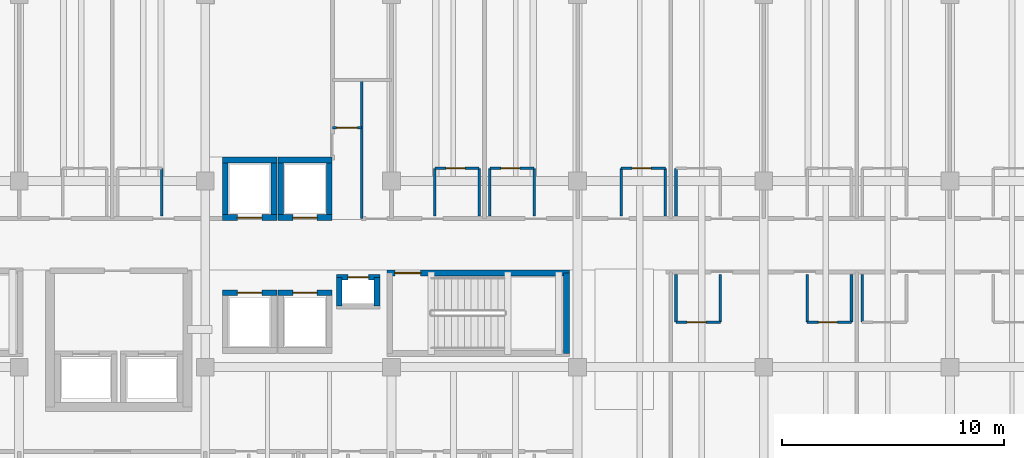
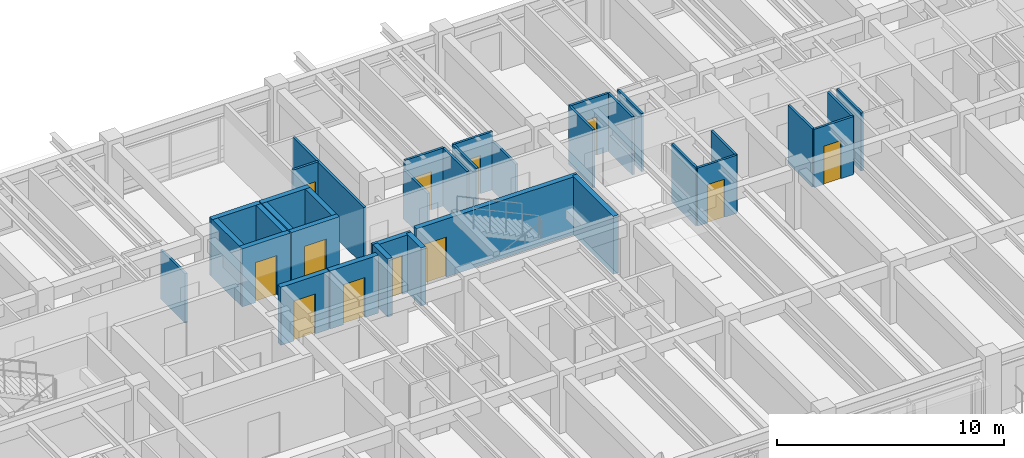
# One storey, part 88 of 123: 35 walls, 12 doors, 12 openings.
"""IFC4 building model written with IfcOpenShell, lengths in metres."""

from ifc_helpers import new_model, si_unit, direction, frame, frame_2d, origin, place, context, subcontext, project, spatial, rectangle, extrude, material, layer, layer_set, type_object, element, fill, save


model = new_model("IFC4")

# Units and contexts
model_context = context("Model", 3, precision=1e-05, world=origin(), true_north=direction((0.0, 1.0)))
body_context = subcontext(model_context, "Body", "Model", "MODEL_VIEW")
ifc_project = project(units=[si_unit("LENGTHUNIT", "METRE"), si_unit("AREAUNIT", "SQUARE_METRE"), si_unit("VOLUMEUNIT", "CUBIC_METRE"), si_unit("PLANEANGLEUNIT", "RADIAN"), si_unit("MASSUNIT", "GRAM", prefix="KILO")], contexts=[model_context])

# Site, building, storey
site_placement = place(None, origin())
site = spatial("IfcSite", under=ifc_project, at=site_placement, CompositionType="ELEMENT")
building_placement = place(site_placement, origin())
building = spatial("IfcBuilding", under=site, at=building_placement, Name="Cumbredor Promenade Congress Hotel", CompositionType="ELEMENT")
storey_placement = place(building_placement, frame((0.0, 0.0, 11.760009765625)))
storey = spatial("IfcBuildingStorey", under=building, at=storey_placement, Name="L03", CompositionType="ELEMENT", Elevation=11.760009765625)

# Wall
ifc_material_1 = material(Name="Moisture-resistant gypsum board on steel studs", Category="steel")
ifc_layer_1 = layer(ifc_material_1, 0.114990234375, Name="Moisture-resistant gypsum board on steel studs", Category="steel")
ifc_layer_set_1 = layer_set([ifc_layer_1], Name="Moisture-resistant gypsum board on steel studs")
wall_type_1 = type_object("IfcWallType", Name="WL-BATH-115", PredefinedType="PARTITIONING", material=ifc_layer_set_1)
wall_1_placement = place(storey_placement, frame((31.639892578125, 107.6201171875, 0.0), z_axis=(0.0, 0.0, 1.0), x_axis=(0.0, 1.0, 0.0)))
element("IfcWall", 1, at=wall_1_placement, inside=storey, type_object=wall_type_1, Name="L03 Interior Partition W-L03-BV2-0307", PredefinedType="PARTITIONING", context=body_context, shape_type="SweptSolid", body=[
    extrude(rectangle(XDim=2.14990234375, YDim=0.114990234375, at=frame_2d((1.074951171875, 0.0))), origin(), (0.0, 0.0, 1.0), 2.64208984375),
])

# Wall, opening, door
wall_2_placement = place(storey_placement, frame((43.9599609375, 109.77001953125, 0.0), z_axis=(0.0, 0.0, 1.0), x_axis=(1.0, 0.0, 0.0)))
wall_2 = element("IfcWall", 2, at=wall_2_placement, inside=storey, type_object=wall_type_1, Name="L03 Interior Partition W-L03-BH-0308", PredefinedType="PARTITIONING", context=body_context, shape_type="SweptSolid", body=[
    extrude(rectangle(XDim=2.0, YDim=0.114990234375, at=frame_2d((1.0, 0.0))), origin(), (0.0, 0.0, 1.0), 3.119873046875),
])
opening_1_placement = place(wall_2_placement, frame((0.5, 0.0, 0.0)))
opening_1 = element("IfcOpeningElement", 3, at=opening_1_placement, cuts=wall_2, Name="Opening ID-01", PredefinedType="OPENING", context=body_context, shape_type="SweptSolid", body=[
    extrude(rectangle(XDim=0.860107421875, YDim=2.050048828125, at=frame_2d((0.43017578125, 1.02490234375))), frame((0.0, 0.0673828125, 0.0), z_axis=(0.0, -1.0, 0.0), x_axis=(1.0, 0.0, 0.0)), (0.0, 0.0, 1.0), 0.135009765625),
])
ifc_material_2 = material(Name="Kiln-dried tropical hardwood", Category="wood")
door_type_1 = type_object("IfcDoorType", Name="DR-BATH-860", OperationType="NOTDEFINED", PredefinedType="DOOR", material=ifc_material_2)
door_1_placement = place(opening_1_placement, origin())
door_1 = element("IfcDoor", 4, at=door_1_placement, inside=storey, type_object=door_type_1, Name="L03 Interior Door W-L03-BH-0308-01", OperationType="SINGLE_SWING_RIGHT", OverallHeight=2.050048828125, OverallWidth=0.860107421875, PredefinedType="DOOR", context=body_context, shape_type="SweptSolid", body=[
    extrude(rectangle(XDim=0.860107421875, YDim=2.050048828125, at=frame_2d((0.43017578125, 1.02490234375))), frame((0.0, 0.02490234375, 0.0), z_axis=(0.0, -1.0, 0.0), x_axis=(1.0, 0.0, 0.0)), (0.0, 0.0, 1.0), 0.050048828125),
])
fill(opening_1, door_1)

# Walls
wall_3_placement = place(storey_placement, frame((43.9599609375, 107.6201171875, 0.0), z_axis=(0.0, 0.0, 1.0), x_axis=(0.0, 1.0, 0.0)))
element("IfcWall", 5, at=wall_3_placement, inside=storey, type_object=wall_type_1, Name="L03 Interior Partition W-L03-BV1-0308", PredefinedType="PARTITIONING", context=body_context, shape_type="SweptSolid", body=[
    extrude(rectangle(XDim=2.14990234375, YDim=0.114990234375, at=frame_2d((1.074951171875, 0.0))), origin(), (0.0, 0.0, 1.0), 2.64208984375),
])
wall_4_placement = place(storey_placement, frame((45.9599609375, 107.6201171875, 0.0), z_axis=(0.0, 0.0, 1.0), x_axis=(0.0, 1.0, 0.0)))
element("IfcWall", 6, at=wall_4_placement, inside=storey, type_object=wall_type_1, Name="L03 Interior Partition W-L03-BV2-0308", PredefinedType="PARTITIONING", context=body_context, shape_type="SweptSolid", body=[
    extrude(rectangle(XDim=2.14990234375, YDim=0.114990234375, at=frame_2d((1.074951171875, 0.0))), origin(), (0.0, 0.0, 1.0), 3.119873046875),
])

# Wall, opening, door
wall_5_placement = place(storey_placement, frame((46.43994140625, 109.77001953125, 0.0), z_axis=(0.0, 0.0, 1.0), x_axis=(1.0, 0.0, 0.0)))
wall_5 = element("IfcWall", 7, at=wall_5_placement, inside=storey, type_object=wall_type_1, Name="L03 Interior Partition W-L03-BH-0309", PredefinedType="PARTITIONING", context=body_context, shape_type="SweptSolid", body=[
    extrude(rectangle(XDim=2.0, YDim=0.114990234375, at=frame_2d((1.0, 0.0))), origin(), (0.0, 0.0, 1.0), 3.119873046875),
])
opening_2_placement = place(wall_5_placement, frame((0.5, 0.0, 0.0)))
opening_2 = element("IfcOpeningElement", 8, at=opening_2_placement, cuts=wall_5, Name="Opening ID-01", PredefinedType="OPENING", context=body_context, shape_type="SweptSolid", body=[
    extrude(rectangle(XDim=0.860107421875, YDim=2.050048828125, at=frame_2d((0.43017578125, 1.02490234375))), frame((0.0, 0.0673828125, 0.0), z_axis=(0.0, -1.0, 0.0), x_axis=(1.0, 0.0, 0.0)), (0.0, 0.0, 1.0), 0.135009765625),
])
door_2_placement = place(opening_2_placement, origin())
door_2 = element("IfcDoor", 9, at=door_2_placement, inside=storey, type_object=door_type_1, Name="L03 Interior Door W-L03-BH-0309-01", OperationType="SINGLE_SWING_LEFT", OverallHeight=2.050048828125, OverallWidth=0.860107421875, PredefinedType="DOOR", context=body_context, shape_type="SweptSolid", body=[
    extrude(rectangle(XDim=0.860107421875, YDim=2.050048828125, at=frame_2d((0.43017578125, 1.02490234375))), frame((0.0, 0.02490234375, 0.0), z_axis=(0.0, -1.0, 0.0), x_axis=(1.0, 0.0, 0.0)), (0.0, 0.0, 1.0), 0.050048828125),
])
fill(opening_2, door_2)

# Walls
wall_6_placement = place(storey_placement, frame((46.43994140625, 107.6201171875, 0.0), z_axis=(0.0, 0.0, 1.0), x_axis=(0.0, 1.0, 0.0)))
element("IfcWall", 10, at=wall_6_placement, inside=storey, type_object=wall_type_1, Name="L03 Interior Partition W-L03-BV1-0309", PredefinedType="PARTITIONING", context=body_context, shape_type="SweptSolid", body=[
    extrude(rectangle(XDim=2.14990234375, YDim=0.114990234375, at=frame_2d((1.074951171875, 0.0))), origin(), (0.0, 0.0, 1.0), 3.119873046875),
])
wall_7_placement = place(storey_placement, frame((48.43994140625, 107.6201171875, 0.0), z_axis=(0.0, 0.0, 1.0), x_axis=(0.0, 1.0, 0.0)))
element("IfcWall", 11, at=wall_7_placement, inside=storey, type_object=wall_type_1, Name="L03 Interior Partition W-L03-BV2-0309", PredefinedType="PARTITIONING", context=body_context, shape_type="SweptSolid", body=[
    extrude(rectangle(XDim=2.14990234375, YDim=0.114990234375, at=frame_2d((1.074951171875, 0.0))), origin(), (0.0, 0.0, 1.0), 2.64208984375),
])

# Wall, opening, door
wall_8_placement = place(storey_placement, frame((52.360107421875, 109.77001953125, 0.0), z_axis=(0.0, 0.0, 1.0), x_axis=(1.0, 0.0, 0.0)))
wall_8 = element("IfcWall", 12, at=wall_8_placement, inside=storey, type_object=wall_type_1, Name="L03 Interior Partition W-L03-BH-0310", PredefinedType="PARTITIONING", context=body_context, shape_type="SweptSolid", body=[
    extrude(rectangle(XDim=2.0, YDim=0.114990234375, at=frame_2d((1.0, 0.0))), origin(), (0.0, 0.0, 1.0), 3.119873046875),
])
opening_3_placement = place(wall_8_placement, frame((0.5, 0.0, 0.0)))
opening_3 = element("IfcOpeningElement", 13, at=opening_3_placement, cuts=wall_8, Name="Opening ID-01", PredefinedType="OPENING", context=body_context, shape_type="SweptSolid", body=[
    extrude(rectangle(XDim=0.860107421875, YDim=2.050048828125, at=frame_2d((0.43017578125, 1.02490234375))), frame((0.0, 0.0673828125, 0.0), z_axis=(0.0, -1.0, 0.0), x_axis=(1.0, 0.0, 0.0)), (0.0, 0.0, 1.0), 0.135009765625),
])
door_3_placement = place(opening_3_placement, origin())
door_3 = element("IfcDoor", 14, at=door_3_placement, inside=storey, type_object=door_type_1, Name="L03 Interior Door W-L03-BH-0310-01", OperationType="SINGLE_SWING_RIGHT", OverallHeight=2.050048828125, OverallWidth=0.860107421875, PredefinedType="DOOR", context=body_context, shape_type="SweptSolid", body=[
    extrude(rectangle(XDim=0.860107421875, YDim=2.050048828125, at=frame_2d((0.43017578125, 1.02490234375))), frame((0.0, 0.02490234375, 0.0), z_axis=(0.0, -1.0, 0.0), x_axis=(1.0, 0.0, 0.0)), (0.0, 0.0, 1.0), 0.050048828125),
])
fill(opening_3, door_3)

# Walls
for number, where, z_axis, x_axis, name in (
    (15, (52.360107421875, 107.6201171875, 0.0), (0.0, 0.0, 1.0), (0.0, 1.0, 0.0), "L03 Interior Partition W-L03-BV1-0310"),
    (16, (54.360107421875, 107.6201171875, 0.0), (0.0, 0.0, 1.0), (0.0, 1.0, 0.0), "L03 Interior Partition W-L03-BV2-0310"),
    (17, (54.840087890625, 107.6201171875, 0.0), (0.0, 0.0, 1.0), (0.0, 1.0, 0.0), "L03 Interior Partition W-L03-BV1-0311"),
):
    element("IfcWall", number, at=place(storey_placement, frame(where, z_axis=z_axis, x_axis=x_axis)), inside=storey, type_object=wall_type_1, Name=name, PredefinedType="PARTITIONING", context=body_context, shape_type="SweptSolid", body=[
        extrude(rectangle(XDim=2.14990234375, YDim=0.114990234375, at=frame_2d((1.074951171875, 0.0))), origin(), (0.0, 0.0, 1.0), 3.119873046875),
    ])

# Wall, opening, door
wall_9_placement = place(storey_placement, frame((54.840087890625, 102.830078125, 0.0), z_axis=(0.0, 0.0, 1.0), x_axis=(1.0, 0.0, 0.0)))
wall_9 = element("IfcWall", 18, at=wall_9_placement, inside=storey, type_object=wall_type_1, Name="L03 Interior Partition W-L03-BH-0317", PredefinedType="PARTITIONING", context=body_context, shape_type="SweptSolid", body=[
    extrude(rectangle(XDim=2.0, YDim=0.114990234375, at=frame_2d((1.0, 0.0))), origin(), (0.0, 0.0, 1.0), 3.119873046875),
])
opening_4_placement = place(wall_9_placement, frame((0.5, 0.0, 0.0)))
opening_4 = element("IfcOpeningElement", 19, at=opening_4_placement, cuts=wall_9, Name="Opening ID-01", PredefinedType="OPENING", context=body_context, shape_type="SweptSolid", body=[
    extrude(rectangle(XDim=0.860107421875, YDim=2.050048828125, at=frame_2d((0.43017578125, 1.02490234375))), frame((0.0, 0.0673828125, 0.0), z_axis=(0.0, -1.0, 0.0), x_axis=(1.0, 0.0, 0.0)), (0.0, 0.0, 1.0), 0.135009765625),
])
door_4_placement = place(opening_4_placement, origin())
door_4 = element("IfcDoor", 20, at=door_4_placement, inside=storey, type_object=door_type_1, Name="L03 Interior Door W-L03-BH-0317-01", OperationType="SINGLE_SWING_LEFT", OverallHeight=2.050048828125, OverallWidth=0.860107421875, PredefinedType="DOOR", context=body_context, shape_type="SweptSolid", body=[
    extrude(rectangle(XDim=0.860107421875, YDim=2.050048828125, at=frame_2d((0.43017578125, 1.02490234375))), frame((0.0, 0.02490234375, 0.0), z_axis=(0.0, -1.0, 0.0), x_axis=(1.0, 0.0, 0.0)), (0.0, 0.0, 1.0), 0.050048828125),
])
fill(opening_4, door_4)

# Walls
for number, where, z_axis, x_axis, name in (
    (21, (54.840087890625, 102.830078125, 0.0), (0.0, 0.0, 1.0), (0.0, 1.0, 0.0), "L03 Interior Partition W-L03-BV1-0317"),
    (22, (56.840087890625, 102.830078125, 0.0), (0.0, 0.0, 1.0), (0.0, 1.0, 0.0), "L03 Interior Partition W-L03-BV2-0317"),
):
    element("IfcWall", number, at=place(storey_placement, frame(where, z_axis=z_axis, x_axis=x_axis)), inside=storey, type_object=wall_type_1, Name=name, PredefinedType="PARTITIONING", context=body_context, shape_type="SweptSolid", body=[
        extrude(rectangle(XDim=2.14990234375, YDim=0.114990234375, at=frame_2d((1.074951171875, 0.0))), origin(), (0.0, 0.0, 1.0), 3.119873046875),
    ])

# Wall, opening, door
wall_10_placement = place(storey_placement, frame((60.760009765625, 102.830078125, 0.0), z_axis=(0.0, 0.0, 1.0), x_axis=(1.0, 0.0, 0.0)))
wall_10 = element("IfcWall", 23, at=wall_10_placement, inside=storey, type_object=wall_type_1, Name="L03 Interior Partition W-L03-BH-0318", PredefinedType="PARTITIONING", context=body_context, shape_type="SweptSolid", body=[
    extrude(rectangle(XDim=2.0, YDim=0.114990234375, at=frame_2d((1.0, 0.0))), origin(), (0.0, 0.0, 1.0), 3.119873046875),
])
opening_5_placement = place(wall_10_placement, frame((0.5, 0.0, 0.0)))
opening_5 = element("IfcOpeningElement", 24, at=opening_5_placement, cuts=wall_10, Name="Opening ID-01", PredefinedType="OPENING", context=body_context, shape_type="SweptSolid", body=[
    extrude(rectangle(XDim=0.860107421875, YDim=2.050048828125, at=frame_2d((0.43017578125, 1.02490234375))), frame((0.0, 0.0673828125, 0.0), z_axis=(0.0, -1.0, 0.0), x_axis=(1.0, 0.0, 0.0)), (0.0, 0.0, 1.0), 0.135009765625),
])
door_5_placement = place(opening_5_placement, origin())
door_5 = element("IfcDoor", 25, at=door_5_placement, inside=storey, type_object=door_type_1, Name="L03 Interior Door W-L03-BH-0318-01", OperationType="SINGLE_SWING_RIGHT", OverallHeight=2.050048828125, OverallWidth=0.860107421875, PredefinedType="DOOR", context=body_context, shape_type="SweptSolid", body=[
    extrude(rectangle(XDim=0.860107421875, YDim=2.050048828125, at=frame_2d((0.43017578125, 1.02490234375))), frame((0.0, 0.02490234375, 0.0), z_axis=(0.0, -1.0, 0.0), x_axis=(1.0, 0.0, 0.0)), (0.0, 0.0, 1.0), 0.050048828125),
])
fill(opening_5, door_5)

# Walls
for number, where, z_axis, x_axis, name in (
    (26, (60.760009765625, 102.830078125, 0.0), (0.0, 0.0, 1.0), (0.0, 1.0, 0.0), "L03 Interior Partition W-L03-BV1-0318"),
    (27, (62.760009765625, 102.830078125, 0.0), (0.0, 0.0, 1.0), (0.0, 1.0, 0.0), "L03 Interior Partition W-L03-BV2-0318"),
    (28, (63.239990234375, 102.830078125, 0.0), (0.0, 0.0, 1.0), (0.0, 1.0, 0.0), "L03 Interior Partition W-L03-BV1-0319"),
):
    element("IfcWall", number, at=place(storey_placement, frame(where, z_axis=z_axis, x_axis=x_axis)), inside=storey, type_object=wall_type_1, Name=name, PredefinedType="PARTITIONING", context=body_context, shape_type="SweptSolid", body=[
        extrude(rectangle(XDim=2.14990234375, YDim=0.114990234375, at=frame_2d((1.074951171875, 0.0))), origin(), (0.0, 0.0, 1.0), 3.119873046875),
    ])

# Wall, opening, door
ifc_material_3 = material(Name="Gypsum board on steel studs", Category="steel")
ifc_layer_2 = layer(ifc_material_3, 0.125, Name="Gypsum board on steel studs", Category="steel")
ifc_layer_set_2 = layer_set([ifc_layer_2], Name="Gypsum board on steel studs")
wall_type_2 = type_object("IfcWallType", Name="WL-PART-125", PredefinedType="PARTITIONING", material=ifc_layer_set_2)
wall_11_placement = place(storey_placement, frame((39.330078125, 111.60009765625, 0.0), z_axis=(0.0, 0.0, 1.0), x_axis=(1.0, 0.0, 0.0)))
wall_11 = element("IfcWall", 29, at=wall_11_placement, inside=storey, type_object=wall_type_2, Name="L03 Interior Partition W-L03-HK-S", PredefinedType="PARTITIONING", context=body_context, shape_type="SweptSolid", body=[
    extrude(rectangle(XDim=1.329833984375, YDim=0.125, at=frame_2d((0.6650390625, 0.0))), origin(), (0.0, 0.0, 1.0), 3.119873046875),
])
opening_6_placement = place(wall_11_placement, frame((0.195068359375, 0.0, 0.0)))
opening_6 = element("IfcOpeningElement", 30, at=opening_6_placement, cuts=wall_11, Name="Opening FD-03", PredefinedType="OPENING", context=body_context, shape_type="SweptSolid", body=[
    extrude(rectangle(XDim=0.93994140625, YDim=2.10009765625, at=frame_2d((0.469970703125, 1.050048828125))), frame((0.0, 0.072509765625, 0.0), z_axis=(0.0, -1.0, 0.0), x_axis=(1.0, 0.0, 0.0)), (0.0, 0.0, 1.0), 0.14501953125),
])
ifc_material_4 = material(Name="Painted galvanized steel fire door", Category="steel")
door_type_2 = type_object("IfcDoorType", Name="DR-SGL-FD60-950", OperationType="NOTDEFINED", PredefinedType="DOOR", material=ifc_material_4)
door_6_placement = place(opening_6_placement, origin())
door_6 = element("IfcDoor", 31, at=door_6_placement, inside=storey, type_object=door_type_2, Name="L03 Interior Door W-L03-HK-S-01", OperationType="SINGLE_SWING_LEFT", OverallHeight=2.10009765625, OverallWidth=0.93994140625, PredefinedType="DOOR", context=body_context, shape_type="SweptSolid", body=[
    extrude(rectangle(XDim=0.93994140625, YDim=2.10009765625, at=frame_2d((0.469970703125, 1.050048828125))), frame((0.0, 0.02490234375, 0.0), z_axis=(0.0, -1.0, 0.0), x_axis=(1.0, 0.0, 0.0)), (0.0, 0.0, 1.0), 0.050048828125),
])
fill(opening_6, door_6)

# Wall
wall_12_placement = place(storey_placement, frame((40.659912109375, 107.5, 0.0), z_axis=(0.0, 0.0, 1.0), x_axis=(0.0, 1.0, 0.0)))
element("IfcWall", 32, at=wall_12_placement, inside=storey, type_object=wall_type_2, Name="L03 Interior Partition W-L03-HK-DIV", PredefinedType="PARTITIONING", context=body_context, shape_type="SweptSolid", body=[
    extrude(rectangle(XDim=6.25, YDim=0.125, at=frame_2d((3.125, 0.0))), origin(), (0.0, 0.0, 1.0), 3.119873046875),
])

# Wall, opening, door
ifc_material_5 = material(Name="Concrete C40/50", Category="concrete")
ifc_layer_3 = layer(ifc_material_5, 0.2548828125, Name="Concrete C40/50", Category="concrete")
ifc_layer_set_3 = layer_set([ifc_layer_3], Name="Concrete C40/50")
wall_type_3 = type_object("IfcWallType", Name="WL-SHAFT-250", PredefinedType="SOLIDWALL", material=ifc_layer_set_3)
wall_13_placement = place(storey_placement, frame((41.802490234375, 105.050048828125, 0.0), z_axis=(0.0, 0.0, 1.0), x_axis=(1.0, 0.0, 0.0)))
wall_13 = element("IfcWall", 33, at=wall_13_placement, inside=storey, type_object=wall_type_3, Name="STAIR-ST-03-L03 Shaft Wall North", PredefinedType="SOLIDWALL", context=body_context, shape_type="SweptSolid", body=[
    extrude(rectangle(XDim=8.22509765625, YDim=0.2548828125, at=frame_2d((4.112548828125, 0.0))), origin(), (0.0, 0.0, 1.0), 3.119873046875),
])
opening_7_placement = place(wall_13_placement, frame((0.35009765625, 0.0, 0.0)))
opening_7 = element("IfcOpeningElement", 34, at=opening_7_placement, cuts=wall_13, Name="Opening SD-01", PredefinedType="OPENING", context=body_context, shape_type="SweptSolid", body=[
    extrude(rectangle(XDim=1.159912109375, YDim=2.14990234375, at=frame_2d((0.580078125, 1.074951171875))), frame((0.0, 0.137451171875, 0.0), z_axis=(0.0, -1.0, 0.0), x_axis=(1.0, 0.0, 0.0)), (0.0, 0.0, 1.0), 0.27490234375),
])
door_type_3 = type_object("IfcDoorType", Name="DR-STAIR-FD90-1150", OperationType="NOTDEFINED", PredefinedType="DOOR", material=ifc_material_4)
door_7_placement = place(opening_7_placement, origin())
door_7 = element("IfcDoor", 35, at=door_7_placement, inside=storey, type_object=door_type_3, Name="L03 Protected Exit Stair ST-03 Door", OperationType="SINGLE_SWING_LEFT", OverallHeight=2.14990234375, OverallWidth=1.159912109375, PredefinedType="DOOR", context=body_context, shape_type="SweptSolid", body=[
    extrude(rectangle(XDim=1.159912109375, YDim=2.14990234375, at=frame_2d((0.580078125, 1.074951171875))), frame((0.0, 0.02490234375, 0.0), z_axis=(0.0, -1.0, 0.0), x_axis=(1.0, 0.0, 0.0)), (0.0, 0.0, 1.0), 0.050048828125),
])
fill(opening_7, door_7)

# Wall
wall_14_placement = place(storey_placement, frame((49.89990234375, 101.419921875, 0.0), z_axis=(0.0, 0.0, 1.0), x_axis=(0.0, 1.0, 0.0)))
element("IfcWall", 36, at=wall_14_placement, inside=storey, type_object=wall_type_3, Name="STAIR-ST-03-L03 Shaft Wall East", PredefinedType="SOLIDWALL", context=body_context, shape_type="SweptSolid", body=[
    extrude(rectangle(XDim=3.630126953125, YDim=0.2548828125, at=frame_2d((1.81494140625, 0.0))), origin(), (0.0, 0.0, 1.0), 3.119873046875),
])

# Wall, opening, door
wall_15_placement = place(storey_placement, frame((34.37255859375, 107.550048828125, 0.0), z_axis=(0.0, 0.0, 1.0), x_axis=(1.0, 0.0, 0.0)))
wall_15 = element("IfcWall", 37, at=wall_15_placement, inside=storey, type_object=wall_type_3, Name="SHAFT-PL-01-L03 Shaft Wall South", PredefinedType="SOLIDWALL", context=body_context, shape_type="SweptSolid", body=[
    extrude(rectangle(XDim=2.454833984375, YDim=0.2548828125, at=frame_2d((1.2275390625, 0.0))), origin(), (0.0, 0.0, 1.0), 3.119873046875),
])
opening_8_placement = place(wall_15_placement, frame((0.677490234375, 0.0, 0.0)))
opening_8 = element("IfcOpeningElement", 38, at=opening_8_placement, cuts=wall_15, Name="Opening LD-01", PredefinedType="OPENING", context=body_context, shape_type="SweptSolid", body=[
    extrude(rectangle(XDim=1.10009765625, YDim=2.14990234375, at=frame_2d((0.550048828125, 1.074951171875))), frame((0.0, 0.137451171875, 0.0), z_axis=(0.0, -1.0, 0.0), x_axis=(1.0, 0.0, 0.0)), (0.0, 0.0, 1.0), 0.27490234375),
])
ifc_material_6 = material(Name="Brushed stainless steel", Category="steel")
door_type_4 = type_object("IfcDoorType", Name="Lift Landing Sliding Door LD-01 1100x2150", OperationType="DOUBLE_DOOR_SLIDING", PredefinedType="DOOR", material=ifc_material_6)
door_8_placement = place(opening_8_placement, origin())
door_8 = element("IfcDoor", 39, at=door_8_placement, inside=storey, type_object=door_type_4, Name="L03 Hotel Passenger Lift PL-01 Sliding Landing Door", OperationType="DOUBLE_DOOR_SLIDING", OverallHeight=2.14990234375, OverallWidth=1.10009765625, PredefinedType="DOOR", context=body_context, shape_type="SweptSolid", body=[
    extrude(rectangle(XDim=1.10009765625, YDim=2.14990234375, at=frame_2d((0.550048828125, 1.074951171875))), frame((0.0, 0.02490234375, 0.0), z_axis=(0.0, -1.0, 0.0), x_axis=(1.0, 0.0, 0.0)), (0.0, 0.0, 1.0), 0.050048828125),
])
fill(opening_8, door_8)

# Walls
wall_16_placement = place(storey_placement, frame((34.37255859375, 110.14990234375, 0.0), z_axis=(0.0, 0.0, 1.0), x_axis=(1.0, 0.0, 0.0)))
element("IfcWall", 40, at=wall_16_placement, inside=storey, type_object=wall_type_3, Name="SHAFT-PL-01-L03 Shaft Wall North", PredefinedType="SOLIDWALL", context=body_context, shape_type="SweptSolid", body=[
    extrude(rectangle(XDim=2.454833984375, YDim=0.2548828125, at=frame_2d((1.2275390625, 0.0))), origin(), (0.0, 0.0, 1.0), 3.119873046875),
])
for number, where, z_axis, x_axis, name in (
    (41, (34.5, 107.550048828125, 0.0), (0.0, 0.0, 1.0), (0.0, 1.0, 0.0), "SHAFT-PL-01-L03 Shaft Wall West"),
    (42, (36.699951171875, 107.550048828125, 0.0), (0.0, 0.0, 1.0), (0.0, 1.0, 0.0), "SHAFT-PL-01-L03 Shaft Wall East"),
):
    element("IfcWall", number, at=place(storey_placement, frame(where, z_axis=z_axis, x_axis=x_axis)), inside=storey, type_object=wall_type_3, Name=name, PredefinedType="SOLIDWALL", context=body_context, shape_type="SweptSolid", body=[
        extrude(rectangle(XDim=2.599853515625, YDim=0.2548828125, at=frame_2d((1.2998046875, 0.0))), origin(), (0.0, 0.0, 1.0), 3.119873046875),
    ])

# Wall, opening, door
wall_17_placement = place(storey_placement, frame((36.87255859375, 107.550048828125, 0.0), z_axis=(0.0, 0.0, 1.0), x_axis=(1.0, 0.0, 0.0)))
wall_17 = element("IfcWall", 43, at=wall_17_placement, inside=storey, type_object=wall_type_3, Name="SHAFT-PL-02-L03 Shaft Wall South", PredefinedType="SOLIDWALL", context=body_context, shape_type="SweptSolid", body=[
    extrude(rectangle(XDim=2.454833984375, YDim=0.2548828125, at=frame_2d((1.2275390625, 0.0))), origin(), (0.0, 0.0, 1.0), 3.119873046875),
])
opening_9_placement = place(wall_17_placement, frame((0.677490234375, 0.0, 0.0)))
opening_9 = element("IfcOpeningElement", 44, at=opening_9_placement, cuts=wall_17, Name="Opening LD-01", PredefinedType="OPENING", context=body_context, shape_type="SweptSolid", body=[
    extrude(rectangle(XDim=1.10009765625, YDim=2.14990234375, at=frame_2d((0.550048828125, 1.074951171875))), frame((0.0, 0.137451171875, 0.0), z_axis=(0.0, -1.0, 0.0), x_axis=(1.0, 0.0, 0.0)), (0.0, 0.0, 1.0), 0.27490234375),
])
door_9_placement = place(opening_9_placement, origin())
door_9 = element("IfcDoor", 45, at=door_9_placement, inside=storey, type_object=door_type_4, Name="L03 Hotel Passenger Lift PL-02 Sliding Landing Door", OperationType="DOUBLE_DOOR_SLIDING", OverallHeight=2.14990234375, OverallWidth=1.10009765625, PredefinedType="DOOR", context=body_context, shape_type="SweptSolid", body=[
    extrude(rectangle(XDim=1.10009765625, YDim=2.14990234375, at=frame_2d((0.550048828125, 1.074951171875))), frame((0.0, 0.02490234375, 0.0), z_axis=(0.0, -1.0, 0.0), x_axis=(1.0, 0.0, 0.0)), (0.0, 0.0, 1.0), 0.050048828125),
])
fill(opening_9, door_9)

# Walls
wall_18_placement = place(storey_placement, frame((36.87255859375, 110.14990234375, 0.0), z_axis=(0.0, 0.0, 1.0), x_axis=(1.0, 0.0, 0.0)))
element("IfcWall", 46, at=wall_18_placement, inside=storey, type_object=wall_type_3, Name="SHAFT-PL-02-L03 Shaft Wall North", PredefinedType="SOLIDWALL", context=body_context, shape_type="SweptSolid", body=[
    extrude(rectangle(XDim=2.454833984375, YDim=0.2548828125, at=frame_2d((1.2275390625, 0.0))), origin(), (0.0, 0.0, 1.0), 3.119873046875),
])
for number, where, z_axis, x_axis, name in (
    (47, (37.0, 107.550048828125, 0.0), (0.0, 0.0, 1.0), (0.0, 1.0, 0.0), "SHAFT-PL-02-L03 Shaft Wall West"),
    (48, (39.199951171875, 107.550048828125, 0.0), (0.0, 0.0, 1.0), (0.0, 1.0, 0.0), "SHAFT-PL-02-L03 Shaft Wall East"),
):
    element("IfcWall", number, at=place(storey_placement, frame(where, z_axis=z_axis, x_axis=x_axis)), inside=storey, type_object=wall_type_3, Name=name, PredefinedType="SOLIDWALL", context=body_context, shape_type="SweptSolid", body=[
        extrude(rectangle(XDim=2.599853515625, YDim=0.2548828125, at=frame_2d((1.2998046875, 0.0))), origin(), (0.0, 0.0, 1.0), 3.119873046875),
    ])

# Wall, opening, door
wall_19_placement = place(storey_placement, frame((34.37255859375, 104.14990234375, 0.0), z_axis=(0.0, 0.0, 1.0), x_axis=(1.0, 0.0, 0.0)))
wall_19 = element("IfcWall", 49, at=wall_19_placement, inside=storey, type_object=wall_type_3, Name="SHAFT-PL-03-L03 Shaft Wall North", PredefinedType="SOLIDWALL", context=body_context, shape_type="SweptSolid", body=[
    extrude(rectangle(XDim=2.454833984375, YDim=0.2548828125, at=frame_2d((1.2275390625, 0.0))), origin(), (0.0, 0.0, 1.0), 3.119873046875),
])
opening_10_placement = place(wall_19_placement, frame((0.677490234375, 0.0, 0.0)))
opening_10 = element("IfcOpeningElement", 50, at=opening_10_placement, cuts=wall_19, Name="Opening LD-01", PredefinedType="OPENING", context=body_context, shape_type="SweptSolid", body=[
    extrude(rectangle(XDim=1.10009765625, YDim=2.14990234375, at=frame_2d((0.550048828125, 1.074951171875))), frame((0.0, 0.137451171875, 0.0), z_axis=(0.0, -1.0, 0.0), x_axis=(1.0, 0.0, 0.0)), (0.0, 0.0, 1.0), 0.27490234375),
])
door_10_placement = place(opening_10_placement, origin())
door_10 = element("IfcDoor", 51, at=door_10_placement, inside=storey, type_object=door_type_4, Name="L03 Hotel Passenger Lift PL-03 Sliding Landing Door", OperationType="DOUBLE_DOOR_SLIDING", OverallHeight=2.14990234375, OverallWidth=1.10009765625, PredefinedType="DOOR", context=body_context, shape_type="SweptSolid", body=[
    extrude(rectangle(XDim=1.10009765625, YDim=2.14990234375, at=frame_2d((0.550048828125, 1.074951171875))), frame((0.0, 0.02490234375, 0.0), z_axis=(0.0, -1.0, 0.0), x_axis=(1.0, 0.0, 0.0)), (0.0, 0.0, 1.0), 0.050048828125),
])
fill(opening_10, door_10)

wall_20_placement = place(storey_placement, frame((36.87255859375, 104.14990234375, 0.0), z_axis=(0.0, 0.0, 1.0), x_axis=(1.0, 0.0, 0.0)))
wall_20 = element("IfcWall", 52, at=wall_20_placement, inside=storey, type_object=wall_type_3, Name="SHAFT-PL-04-L03 Shaft Wall North", PredefinedType="SOLIDWALL", context=body_context, shape_type="SweptSolid", body=[
    extrude(rectangle(XDim=2.454833984375, YDim=0.2548828125, at=frame_2d((1.2275390625, 0.0))), origin(), (0.0, 0.0, 1.0), 3.119873046875),
])
opening_11_placement = place(wall_20_placement, frame((0.677490234375, 0.0, 0.0)))
opening_11 = element("IfcOpeningElement", 53, at=opening_11_placement, cuts=wall_20, Name="Opening LD-01", PredefinedType="OPENING", context=body_context, shape_type="SweptSolid", body=[
    extrude(rectangle(XDim=1.10009765625, YDim=2.14990234375, at=frame_2d((0.550048828125, 1.074951171875))), frame((0.0, 0.137451171875, 0.0), z_axis=(0.0, -1.0, 0.0), x_axis=(1.0, 0.0, 0.0)), (0.0, 0.0, 1.0), 0.27490234375),
])
door_11_placement = place(opening_11_placement, origin())
door_11 = element("IfcDoor", 54, at=door_11_placement, inside=storey, type_object=door_type_4, Name="L03 Hotel Passenger Lift PL-04 Sliding Landing Door", OperationType="DOUBLE_DOOR_SLIDING", OverallHeight=2.14990234375, OverallWidth=1.10009765625, PredefinedType="DOOR", context=body_context, shape_type="SweptSolid", body=[
    extrude(rectangle(XDim=1.10009765625, YDim=2.14990234375, at=frame_2d((0.550048828125, 1.074951171875))), frame((0.0, 0.02490234375, 0.0), z_axis=(0.0, -1.0, 0.0), x_axis=(1.0, 0.0, 0.0)), (0.0, 0.0, 1.0), 0.050048828125),
])
fill(opening_11, door_11)

wall_21_placement = place(storey_placement, frame((39.5224609375, 104.85009765625, 0.0), z_axis=(0.0, 0.0, 1.0), x_axis=(1.0, 0.0, 0.0)))
wall_21 = element("IfcWall", 55, at=wall_21_placement, inside=storey, type_object=wall_type_3, Name="RISER-MEP-R1-L03 Shaft Wall North", PredefinedType="SOLIDWALL", context=body_context, shape_type="SweptSolid", body=[
    extrude(rectangle(XDim=1.955078125, YDim=0.2548828125, at=frame_2d((0.9775390625, 0.0))), origin(), (0.0, 0.0, 1.0), 3.119873046875),
])
opening_12_placement = place(wall_21_placement, frame((0.507568359375, 0.0, 0.0)))
opening_12 = element("IfcOpeningElement", 56, at=opening_12_placement, cuts=wall_21, Name="Opening FD-03", PredefinedType="OPENING", context=body_context, shape_type="SweptSolid", body=[
    extrude(rectangle(XDim=0.93994140625, YDim=2.10009765625, at=frame_2d((0.469970703125, 1.050048828125))), frame((0.0, 0.137451171875, 0.0), z_axis=(0.0, -1.0, 0.0), x_axis=(1.0, 0.0, 0.0)), (0.0, 0.0, 1.0), 0.27490234375),
])
door_12_placement = place(opening_12_placement, origin())
door_12 = element("IfcDoor", 57, at=door_12_placement, inside=storey, type_object=door_type_2, Name="L03 Hotel MEP Riser Shaft R1 Access Door", OperationType="SINGLE_SWING_LEFT", OverallHeight=2.10009765625, OverallWidth=0.93994140625, PredefinedType="DOOR", context=body_context, shape_type="SweptSolid", body=[
    extrude(rectangle(XDim=0.93994140625, YDim=2.10009765625, at=frame_2d((0.469970703125, 1.050048828125))), frame((0.0, 0.02490234375, 0.0), z_axis=(0.0, -1.0, 0.0), x_axis=(1.0, 0.0, 0.0)), (0.0, 0.0, 1.0), 0.050048828125),
])
fill(opening_12, door_12)

# Walls
for number, where, z_axis, x_axis, name in (
    (58, (39.64990234375, 103.550048828125, 0.0), (0.0, 0.0, 1.0), (0.0, 1.0, 0.0), "RISER-MEP-R1-L03 Shaft Wall West"),
    (59, (41.35009765625, 103.550048828125, 0.0), (0.0, 0.0, 1.0), (0.0, 1.0, 0.0), "RISER-MEP-R1-L03 Shaft Wall East"),
):
    element("IfcWall", number, at=place(storey_placement, frame(where, z_axis=z_axis, x_axis=x_axis)), inside=storey, type_object=wall_type_3, Name=name, PredefinedType="SOLIDWALL", context=body_context, shape_type="SweptSolid", body=[
        extrude(rectangle(XDim=1.300048828125, YDim=0.2548828125, at=frame_2d((0.64990234375, 0.0))), origin(), (0.0, 0.0, 1.0), 3.119873046875),
    ])

save(model, "model.ifc")
